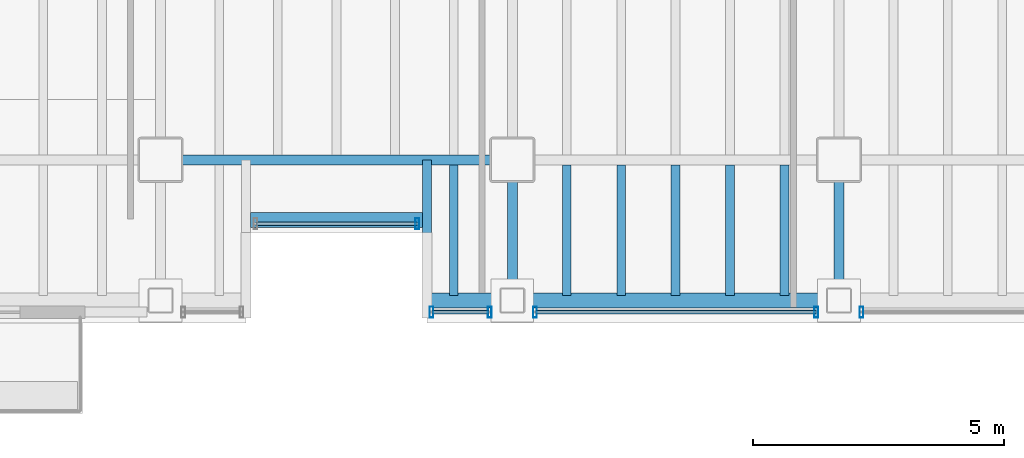
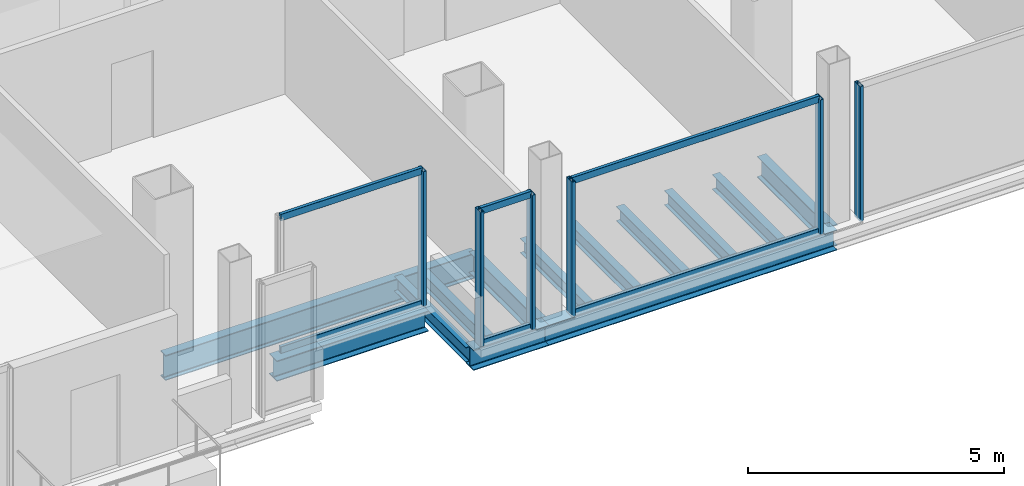
# One storey, part 4 of 15: 13 beams, 12 members, 4 elements without a shape of their own.
"""IFC4 building model written with IfcOpenShell, lengths in metres."""

from ifc_helpers import new_model, si_unit, direction, frame, origin, origin_2d, place, context, subcontext, project, spatial, hollow_rectangle, i_section, extrude, material, material_profile, profile_set, type_object, element, aggregate, save


model = new_model("IFC4")

# Units and contexts
model_context = context("Model", 3, precision=1e-05, world=origin(), true_north=direction((0.0, 1.0)))
body_context = subcontext(model_context, "Body", "Model", "MODEL_VIEW")
ifc_project = project(units=[si_unit("LENGTHUNIT", "METRE"), si_unit("AREAUNIT", "SQUARE_METRE"), si_unit("VOLUMEUNIT", "CUBIC_METRE"), si_unit("PLANEANGLEUNIT", "RADIAN"), si_unit("MASSUNIT", "GRAM", prefix="KILO")], contexts=[model_context])

# Site, building, storey
site_placement = place(None, origin())
site = spatial("IfcSite", under=ifc_project, at=site_placement, CompositionType="ELEMENT")
building_placement = place(site_placement, origin())
building = spatial("IfcBuilding", under=site, at=building_placement, Name="Noeulbin Bourse Tower", CompositionType="ELEMENT")
storey_placement = place(building_placement, frame((0.0, 0.0, 173.39990234375)))
storey = spatial("IfcBuildingStorey", under=building, at=storey_placement, Name="L43", CompositionType="ELEMENT", Elevation=173.39990234375)

# Beams
ifc_material_1 = material(Name="Steel S355", Category="steel")
ifc_material_profile_1 = material_profile(ifc_material_1, i_section(OverallWidth=0.199951171875, OverallDepth=0.5, WebThickness=0.010009765625, FlangeThickness=0.01611328125, FilletRadius=0.02001953125, at=origin_2d()), Name="H-500x200x10x16", Category="LoadBearing")
ifc_profile_set_1 = profile_set([ifc_material_profile_1], Name="Steel S355")
beam_type_1 = type_object("IfcBeamType", Name="BM-GRD-500", PredefinedType="USERDEFINED", material=ifc_profile_set_1)
for number, where, z_axis, x_axis, name in (
    (1, (31.0, 17.199951171875, -0.429931640625), (0.0, 1.0, 0.0), (-1.0, 0.0, 0.0), "Tower Primary Girder NS L43-3.1"),
    (2, (37.5, 17.199951171875, -0.429931640625), (0.0, 1.0, 0.0), (-1.0, 0.0, 0.0), "Tower Primary Girder NS L43-4.1"),
):
    element("IfcBeam", number, at=place(storey_placement, frame(where, z_axis=z_axis, x_axis=x_axis)), inside=storey, type_object=beam_type_1, Name=name, ObjectType="GIRDER", PredefinedType="USERDEFINED", context=body_context, shape_type="SweptSolid", body=[
        extrude(i_section(OverallWidth=0.199951171875, OverallDepth=0.5, WebThickness=0.010009765625, FlangeThickness=0.01611328125, FilletRadius=0.02001953125, at=origin_2d()), origin(), (0.0, 0.0, 1.0), 2.800048828125),
    ])
ifc_material_profile_2 = material_profile(ifc_material_1, i_section(OverallWidth=0.199951171875, OverallDepth=0.60009765625, WebThickness=0.010986328125, FlangeThickness=0.01708984375, FilletRadius=0.02197265625, at=origin_2d()), Name="H-600x200x11x17", Category="LoadBearing")
ifc_profile_set_2 = profile_set([ifc_material_profile_2], Name="Steel S355")
beam_type_2 = type_object("IfcBeamType", Name="BM-GRD-600", PredefinedType="USERDEFINED", material=ifc_profile_set_2)
beam_1_placement = place(storey_placement, frame((24.0, 20.0, -0.47998046875), z_axis=(1.0, 0.0, 0.0), x_axis=(0.0, 1.0, 0.0)))
element("IfcBeam", 3, at=beam_1_placement, inside=storey, type_object=beam_type_2, Name="Tower Primary Girder EW L43-1.3", ObjectType="GIRDER", PredefinedType="USERDEFINED", context=body_context, shape_type="SweptSolid", body=[
    extrude(i_section(OverallWidth=0.199951171875, OverallDepth=0.60009765625, WebThickness=0.010986328125, FlangeThickness=0.01708984375, FilletRadius=0.02197265625, at=origin_2d()), origin(), (0.0, 0.0, 1.0), 7.0),
])
ifc_material_profile_3 = material_profile(ifc_material_1, i_section(OverallWidth=0.175048828125, OverallDepth=0.35009765625, WebThickness=0.007080078125, FlangeThickness=0.010986328125, FilletRadius=0.013916015625, at=origin_2d()), Name="H-350x175x7x11", Category="LoadBearing")
ifc_profile_set_3 = profile_set([ifc_material_profile_3], Name="Steel S355")
beam_type_3 = type_object("IfcBeamType", Name="BM-JST-350", PredefinedType="JOIST", material=ifc_profile_set_3)
beam_2_placement = place(storey_placement, frame((29.300048828125, 17.199951171875, -0.35498046875), z_axis=(0.0, 1.0, 0.0), x_axis=(-1.0, 0.0, 0.0)))
element("IfcBeam", 4, at=beam_2_placement, inside=storey, type_object=beam_type_3, Name="BM-L43-SRT-E", PredefinedType="JOIST", context=body_context, shape_type="SweptSolid", body=[
    extrude(i_section(OverallWidth=0.175048828125, OverallDepth=0.35009765625, WebThickness=0.007080078125, FlangeThickness=0.010986328125, FilletRadius=0.013916015625, at=origin_2d()), origin(), (0.0, 0.0, 1.0), 2.800048828125),
])
for number, where, z_axis, x_axis, name in (
    (5, (29.833251953125, 17.300048828125, -0.35498046875), (0.0, 1.0, 0.0), (-1.0, 0.0, 0.0), "Tower Composite Joist L43-34"),
    (6, (32.083251953125, 17.300048828125, -0.35498046875), (0.0, 1.0, 0.0), (-1.0, 0.0, 0.0), "Tower Composite Joist L43-37"),
    (7, (33.166748046875, 17.300048828125, -0.35498046875), (0.0, 1.0, 0.0), (-1.0, 0.0, 0.0), "Tower Composite Joist L43-40"),
    (8, (34.25, 17.300048828125, -0.35498046875), (0.0, 1.0, 0.0), (-1.0, 0.0, 0.0), "Tower Composite Joist L43-43"),
    (9, (35.333251953125, 17.300048828125, -0.35498046875), (0.0, 1.0, 0.0), (-1.0, 0.0, 0.0), "Tower Composite Joist L43-46"),
    (10, (36.416748046875, 17.300048828125, -0.35498046875), (0.0, 1.0, 0.0), (-1.0, 0.0, 0.0), "Tower Composite Joist L43-49"),
):
    element("IfcBeam", number, at=place(storey_placement, frame(where, z_axis=z_axis, x_axis=x_axis)), inside=storey, type_object=beam_type_3, Name=name, PredefinedType="JOIST", context=body_context, shape_type="SweptSolid", body=[
        extrude(i_section(OverallWidth=0.175048828125, OverallDepth=0.35009765625, WebThickness=0.007080078125, FlangeThickness=0.010986328125, FilletRadius=0.013916015625, at=origin_2d()), origin(), (0.0, 0.0, 1.0), 2.599853515625),
    ])
ifc_material_profile_4 = material_profile(ifc_material_1, i_section(OverallWidth=0.300048828125, OverallDepth=0.488037109375, WebThickness=0.010986328125, FlangeThickness=0.01806640625, FilletRadius=0.02197265625, at=origin_2d()), Name="H-488x300x11x18", Category="LoadBearing")
ifc_profile_set_4 = profile_set([ifc_material_profile_4], Name="Steel S355")
beam_type_4 = type_object("IfcBeamType", Name="BM-SPN-488", PredefinedType="SPANDREL", material=ifc_profile_set_4)
beam_3_placement = place(storey_placement, frame((25.78759765625, 18.800048828125, -0.423828125), z_axis=(1.0, 0.0, 0.0), x_axis=(0.0, 1.0, 0.0)))
element("IfcBeam", 11, at=beam_3_placement, inside=storey, type_object=beam_type_4, Name="South Recess Spandrel L43-2B", PredefinedType="SPANDREL", context=body_context, shape_type="SweptSolid", body=[
    extrude(i_section(OverallWidth=0.300048828125, OverallDepth=0.488037109375, WebThickness=0.010986328125, FlangeThickness=0.01806640625, FilletRadius=0.02197265625, at=origin_2d()), origin(), (0.0, 0.0, 1.0), 3.4248046875),
])
beam_4_placement = place(storey_placement, frame((29.300048828125, 17.199951171875, -0.423828125), z_axis=(1.0, 0.0, 0.0), x_axis=(0.0, 1.0, 0.0)))
element("IfcBeam", 12, at=beam_4_placement, inside=storey, type_object=beam_type_4, Name="South Spandrel L43-2C", PredefinedType="SPANDREL", context=body_context, shape_type="SweptSolid", body=[
    extrude(i_section(OverallWidth=0.300048828125, OverallDepth=0.488037109375, WebThickness=0.010986328125, FlangeThickness=0.01806640625, FilletRadius=0.02197265625, at=origin_2d()), origin(), (0.0, 0.0, 1.0), 1.699951171875),
])
beam_5_placement = place(storey_placement, frame((31.0, 17.199951171875, -0.423828125), z_axis=(1.0, 0.0, 0.0), x_axis=(0.0, 1.0, 0.0)))
element("IfcBeam", 13, at=beam_5_placement, inside=storey, type_object=beam_type_4, Name="South Spandrel L43-3", PredefinedType="SPANDREL", context=body_context, shape_type="SweptSolid", body=[
    extrude(i_section(OverallWidth=0.300048828125, OverallDepth=0.488037109375, WebThickness=0.010986328125, FlangeThickness=0.01806640625, FilletRadius=0.02197265625, at=origin_2d()), origin(), (0.0, 0.0, 1.0), 6.5),
])

# Curtain wall, member
ifc_material_2 = material(Name="Dark Tinted Triple Glazing", Category="glass")
curtain_wall_type = type_object("IfcCurtainWallType", Name="CW-SYS-3", PredefinedType="NOTDEFINED", material=ifc_material_2)
curtain_wall_1_placement = place(storey_placement, origin())
curtain_wall_1 = element("IfcCurtainWall", 14, at=curtain_wall_1_placement, inside=storey, type_object=curtain_wall_type, Name="Unitised Curtain Wall CW-L43-SREC", PredefinedType="NOTDEFINED")
ifc_material_3 = material(Name="Anodised Aluminium 6063-T6", Category="aluminium")
ifc_material_profile_5 = material_profile(ifc_material_3, hollow_rectangle(XDim=0.074951171875, YDim=0.219970703125, WallThickness=0.0048828125, InnerFilletRadius=0.00244140625, OuterFilletRadius=0.0048828125, at=origin_2d()), Name="ALU-MULL-75x220x5", Category="LoadBearing")
ifc_profile_set_5 = profile_set([ifc_material_profile_5], Name="Anodised Aluminium 6063-T6")
member_type_1 = type_object("IfcMemberType", Name="CW-SYS-3-MUL", PredefinedType="MULLION", material=ifc_profile_set_5)
member_1_placement = place(storey_placement, frame((29.110107421875, 18.72998046875, -0.02001953125), z_axis=(0.0, 0.0, 1.0), x_axis=(1.0, 0.0, 0.0)))
member_1 = element("IfcMember", 15, at=member_1_placement, type_object=member_type_1, Name="Curtain Wall Mullion CW-L43-SREC-M01", PredefinedType="MULLION", context=body_context, shape_type="SweptSolid", body=[
    extrude(hollow_rectangle(XDim=0.074951171875, YDim=0.219970703125, WallThickness=0.0048828125, InnerFilletRadius=0.00244140625, OuterFilletRadius=0.0048828125, at=origin_2d()), origin(), (0.0, 0.0, 1.0), 3.22021484375),
])

# Curtain wall, members
curtain_wall_2_placement = place(storey_placement, origin())
curtain_wall_2 = element("IfcCurtainWall", 16, at=curtain_wall_2_placement, inside=storey, type_object=curtain_wall_type, Name="Unitised Curtain Wall CW-L43-S3-S1", PredefinedType="NOTDEFINED")
member_2_placement = place(storey_placement, frame((29.389892578125, 16.969970703125, -0.02001953125), z_axis=(0.0, 0.0, 1.0), x_axis=(1.0, 0.0, 0.0)))
member_2 = element("IfcMember", 17, at=member_2_placement, type_object=member_type_1, Name="Curtain Wall Mullion CW-L43-S3-S1-M00", PredefinedType="MULLION", context=body_context, shape_type="SweptSolid", body=[
    extrude(hollow_rectangle(XDim=0.074951171875, YDim=0.219970703125, WallThickness=0.0048828125, InnerFilletRadius=0.00244140625, OuterFilletRadius=0.0048828125, at=origin_2d()), origin(), (0.0, 0.0, 1.0), 3.22021484375),
])
member_3_placement = place(storey_placement, frame((30.550048828125, 16.969970703125, -0.02001953125), z_axis=(0.0, 0.0, 1.0), x_axis=(1.0, 0.0, 0.0)))
member_3 = element("IfcMember", 18, at=member_3_placement, type_object=member_type_1, Name="Curtain Wall Mullion CW-L43-S3-S1-M01", PredefinedType="MULLION", context=body_context, shape_type="SweptSolid", body=[
    extrude(hollow_rectangle(XDim=0.074951171875, YDim=0.219970703125, WallThickness=0.0048828125, InnerFilletRadius=0.00244140625, OuterFilletRadius=0.0048828125, at=origin_2d()), origin(), (0.0, 0.0, 1.0), 3.22021484375),
])

curtain_wall_3_placement = place(storey_placement, origin())
curtain_wall_3 = element("IfcCurtainWall", 19, at=curtain_wall_3_placement, inside=storey, type_object=curtain_wall_type, Name="Unitised Curtain Wall CW-L43-S3-S2", PredefinedType="NOTDEFINED")
member_4_placement = place(storey_placement, frame((31.449951171875, 16.969970703125, -0.02001953125), z_axis=(0.0, 0.0, 1.0), x_axis=(1.0, 0.0, 0.0)))
member_4 = element("IfcMember", 20, at=member_4_placement, type_object=member_type_1, Name="Curtain Wall Mullion CW-L43-S3-S2-M00", PredefinedType="MULLION", context=body_context, shape_type="SweptSolid", body=[
    extrude(hollow_rectangle(XDim=0.074951171875, YDim=0.219970703125, WallThickness=0.0048828125, InnerFilletRadius=0.00244140625, OuterFilletRadius=0.0048828125, at=origin_2d()), origin(), (0.0, 0.0, 1.0), 3.22021484375),
])
member_5_placement = place(storey_placement, frame((37.050048828125, 16.969970703125, -0.02001953125), z_axis=(0.0, 0.0, 1.0), x_axis=(1.0, 0.0, 0.0)))
member_5 = element("IfcMember", 21, at=member_5_placement, type_object=member_type_1, Name="Curtain Wall Mullion CW-L43-S3-S2-M01", PredefinedType="MULLION", context=body_context, shape_type="SweptSolid", body=[
    extrude(hollow_rectangle(XDim=0.074951171875, YDim=0.219970703125, WallThickness=0.0048828125, InnerFilletRadius=0.00244140625, OuterFilletRadius=0.0048828125, at=origin_2d()), origin(), (0.0, 0.0, 1.0), 3.22021484375),
])

# Curtain wall, member
curtain_wall_4_placement = place(storey_placement, origin())
curtain_wall_4 = element("IfcCurtainWall", 22, at=curtain_wall_4_placement, inside=storey, type_object=curtain_wall_type, Name="Unitised Curtain Wall CW-L43-S3-S3", PredefinedType="NOTDEFINED")
member_6_placement = place(storey_placement, frame((37.949951171875, 16.969970703125, -0.02001953125), z_axis=(0.0, 0.0, 1.0), x_axis=(1.0, 0.0, 0.0)))
member_6 = element("IfcMember", 23, at=member_6_placement, type_object=member_type_1, Name="Curtain Wall Mullion CW-L43-S3-S3-M00", PredefinedType="MULLION", context=body_context, shape_type="SweptSolid", body=[
    extrude(hollow_rectangle(XDim=0.074951171875, YDim=0.219970703125, WallThickness=0.0048828125, InnerFilletRadius=0.00244140625, OuterFilletRadius=0.0048828125, at=origin_2d()), origin(), (0.0, 0.0, 1.0), 3.22021484375),
])
aggregate(curtain_wall_4, [member_6])

# Member
ifc_material_profile_6 = material_profile(ifc_material_3, hollow_rectangle(XDim=0.074951171875, YDim=0.159912109375, WallThickness=0.0048828125, InnerFilletRadius=0.00244140625, OuterFilletRadius=0.0048828125, at=origin_2d()), Name="ALU-TRAN-75x160x5", Category="LoadBearing")
ifc_profile_set_6 = profile_set([ifc_material_profile_6], Name="Anodised Aluminium 6063-T6")
member_type_2 = type_object("IfcMemberType", Name="CW-SYS-3-TRN", PredefinedType="USERDEFINED", material=ifc_profile_set_6)
member_7_placement = place(storey_placement, frame((25.89990234375, 18.72998046875, 0.010009765625), z_axis=(1.0, 0.0, 0.0), x_axis=(0.0, 1.0, 0.0)))
member_7 = element("IfcMember", 24, at=member_7_placement, type_object=member_type_2, Name="Curtain Wall Transom CW-L43-SREC-T00", ObjectType="TRANSOM", PredefinedType="USERDEFINED", context=body_context, shape_type="SweptSolid", body=[
    extrude(hollow_rectangle(XDim=0.074951171875, YDim=0.159912109375, WallThickness=0.0048828125, InnerFilletRadius=0.00244140625, OuterFilletRadius=0.0048828125, at=origin_2d()), origin(), (0.0, 0.0, 1.0), 3.2001953125),
])

member_8_placement = place(storey_placement, frame((25.89990234375, 18.72998046875, 3.170166015625), z_axis=(1.0, 0.0, 0.0), x_axis=(0.0, 1.0, 0.0)))
member_8 = element("IfcMember", 25, at=member_8_placement, type_object=member_type_2, Name="Curtain Wall Transom CW-L43-SREC-T01", ObjectType="TRANSOM", PredefinedType="USERDEFINED", context=body_context, shape_type="SweptSolid", body=[
    extrude(hollow_rectangle(XDim=0.074951171875, YDim=0.159912109375, WallThickness=0.0048828125, InnerFilletRadius=0.00244140625, OuterFilletRadius=0.0048828125, at=origin_2d()), origin(), (0.0, 0.0, 1.0), 3.2001953125),
])

aggregate(curtain_wall_1, [member_1, member_7, member_8])

member_9_placement = place(storey_placement, frame((29.39990234375, 16.969970703125, 0.010009765625), z_axis=(1.0, 0.0, 0.0), x_axis=(0.0, 1.0, 0.0)))
member_9 = element("IfcMember", 26, at=member_9_placement, type_object=member_type_2, Name="Curtain Wall Transom CW-L43-S3-S1-T00", ObjectType="TRANSOM", PredefinedType="USERDEFINED", context=body_context, shape_type="SweptSolid", body=[
    extrude(hollow_rectangle(XDim=0.074951171875, YDim=0.159912109375, WallThickness=0.0048828125, InnerFilletRadius=0.00244140625, OuterFilletRadius=0.0048828125, at=origin_2d()), origin(), (0.0, 0.0, 1.0), 1.14013671875),
])

member_10_placement = place(storey_placement, frame((29.39990234375, 16.969970703125, 3.170166015625), z_axis=(1.0, 0.0, 0.0), x_axis=(0.0, 1.0, 0.0)))
member_10 = element("IfcMember", 27, at=member_10_placement, type_object=member_type_2, Name="Curtain Wall Transom CW-L43-S3-S1-T01", ObjectType="TRANSOM", PredefinedType="USERDEFINED", context=body_context, shape_type="SweptSolid", body=[
    extrude(hollow_rectangle(XDim=0.074951171875, YDim=0.159912109375, WallThickness=0.0048828125, InnerFilletRadius=0.00244140625, OuterFilletRadius=0.0048828125, at=origin_2d()), origin(), (0.0, 0.0, 1.0), 1.14013671875),
])

aggregate(curtain_wall_2, [member_2, member_3, member_9, member_10])

member_11_placement = place(storey_placement, frame((31.4599609375, 16.969970703125, 0.010009765625), z_axis=(1.0, 0.0, 0.0), x_axis=(0.0, 1.0, 0.0)))
member_11 = element("IfcMember", 28, at=member_11_placement, type_object=member_type_2, Name="Curtain Wall Transom CW-L43-S3-S2-T00", ObjectType="TRANSOM", PredefinedType="USERDEFINED", context=body_context, shape_type="SweptSolid", body=[
    extrude(hollow_rectangle(XDim=0.074951171875, YDim=0.159912109375, WallThickness=0.0048828125, InnerFilletRadius=0.00244140625, OuterFilletRadius=0.0048828125, at=origin_2d()), origin(), (0.0, 0.0, 1.0), 5.580078125),
])

member_12_placement = place(storey_placement, frame((31.4599609375, 16.969970703125, 3.170166015625), z_axis=(1.0, 0.0, 0.0), x_axis=(0.0, 1.0, 0.0)))
member_12 = element("IfcMember", 29, at=member_12_placement, type_object=member_type_2, Name="Curtain Wall Transom CW-L43-S3-S2-T01", ObjectType="TRANSOM", PredefinedType="USERDEFINED", context=body_context, shape_type="SweptSolid", body=[
    extrude(hollow_rectangle(XDim=0.074951171875, YDim=0.159912109375, WallThickness=0.0048828125, InnerFilletRadius=0.00244140625, OuterFilletRadius=0.0048828125, at=origin_2d()), origin(), (0.0, 0.0, 1.0), 5.580078125),
])

aggregate(curtain_wall_3, [member_4, member_5, member_11, member_12])

save(model, "model.ifc")
